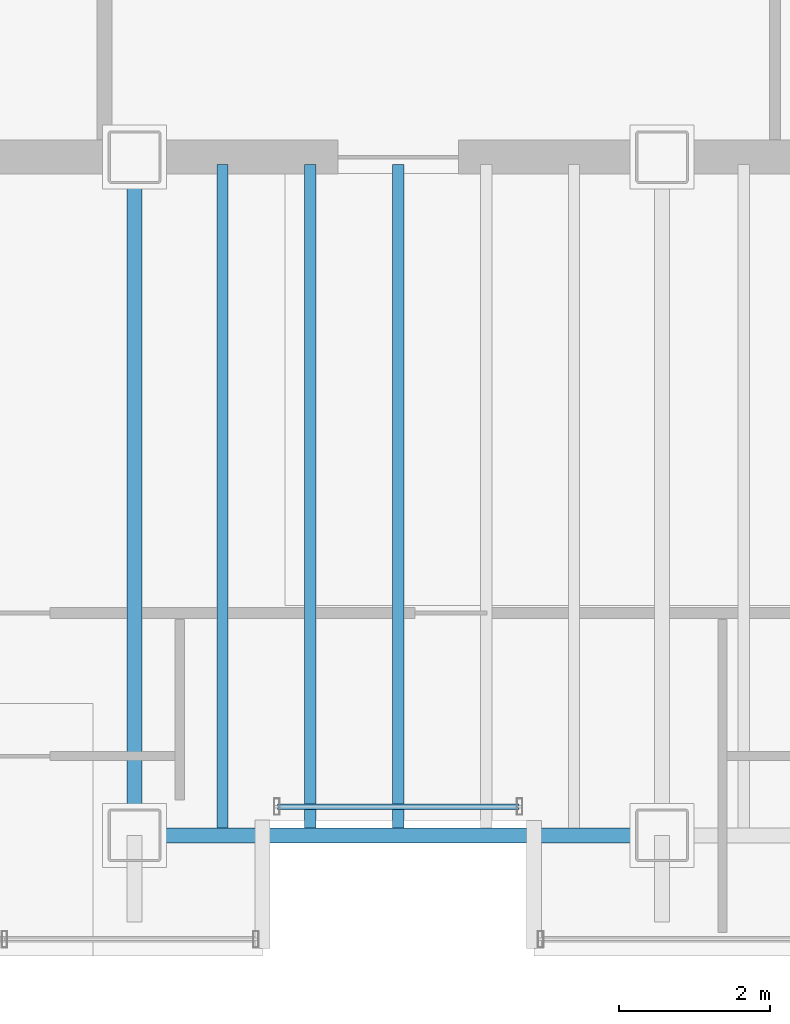
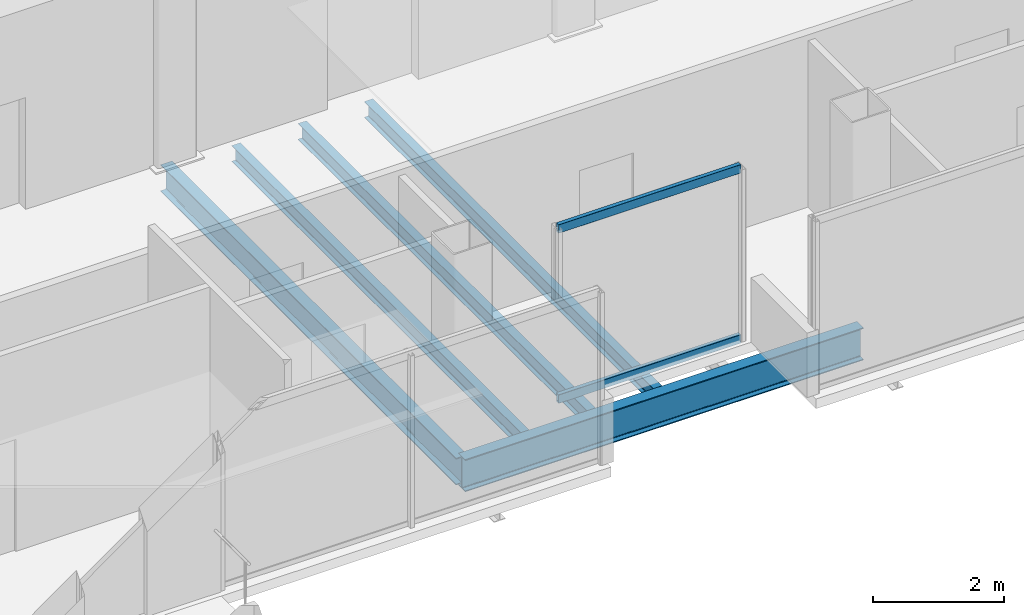
# One storey, part 3 of 17: 5 beams, 2 members, 1 element without a shape of its own.
"""IFC4 building model written with IfcOpenShell, lengths in metres."""

from ifc_helpers import new_model, si_unit, direction, frame, origin, origin_2d, place, context, subcontext, project, spatial, hollow_rectangle, i_section, extrude, material, material_profile, profile_set, type_object, element, aggregate, save


model = new_model("IFC4")

# Units and contexts
model_context = context("Model", 3, precision=1e-05, world=origin(), true_north=direction((0.0, 1.0)))
body_context = subcontext(model_context, "Body", "Model", "MODEL_VIEW")
ifc_project = project(units=[si_unit("LENGTHUNIT", "METRE"), si_unit("AREAUNIT", "SQUARE_METRE"), si_unit("VOLUMEUNIT", "CUBIC_METRE"), si_unit("PLANEANGLEUNIT", "RADIAN"), si_unit("MASSUNIT", "GRAM", prefix="KILO")], contexts=[model_context])

# Site, building, storey
site_placement = place(None, origin())
site = spatial("IfcSite", under=ifc_project, at=site_placement, CompositionType="ELEMENT")
building_placement = place(site_placement, origin())
building = spatial("IfcBuilding", under=site, at=building_placement, Name="Noeulbin Bourse Tower", CompositionType="ELEMENT")
storey_placement = place(building_placement, frame((0.0, 0.0, 296.89990234375)))
storey = spatial("IfcBuildingStorey", under=building, at=storey_placement, Name="L74", CompositionType="ELEMENT", Elevation=296.89990234375)

# Beams
ifc_material_1 = material(Name="Steel S355", Category="steel")
ifc_material_profile_1 = material_profile(ifc_material_1, i_section(OverallWidth=0.199951171875, OverallDepth=0.5, WebThickness=0.010009765625, FlangeThickness=0.01611328125, FilletRadius=0.02001953125, at=origin_2d()), Name="H-500x200x10x16", Category="LoadBearing")
ifc_profile_set_1 = profile_set([ifc_material_profile_1], Name="Steel S355")
beam_type_1 = type_object("IfcBeamType", Name="BM-GRD-500", PredefinedType="USERDEFINED", material=ifc_profile_set_1)
beam_1_placement = place(storey_placement, frame((24.0, 20.0, -0.429931640625), z_axis=(0.0, 1.0, 0.0), x_axis=(-1.0, 0.0, 0.0)))
element("IfcBeam", 1, at=beam_1_placement, inside=storey, type_object=beam_type_1, Name="Tower Primary Girder NS L74-2.2", ObjectType="GIRDER", PredefinedType="USERDEFINED", context=body_context, shape_type="SweptSolid", body=[
    extrude(i_section(OverallWidth=0.199951171875, OverallDepth=0.5, WebThickness=0.010009765625, FlangeThickness=0.01611328125, FilletRadius=0.02001953125, at=origin_2d()), origin(), (0.0, 0.0, 1.0), 9.0),
])
ifc_material_profile_2 = material_profile(ifc_material_1, i_section(OverallWidth=0.199951171875, OverallDepth=0.60009765625, WebThickness=0.010986328125, FlangeThickness=0.01708984375, FilletRadius=0.02197265625, at=origin_2d()), Name="H-600x200x11x17", Category="LoadBearing")
ifc_profile_set_2 = profile_set([ifc_material_profile_2], Name="Steel S355")
beam_type_2 = type_object("IfcBeamType", Name="BM-GRD-600", PredefinedType="USERDEFINED", material=ifc_profile_set_2)
beam_2_placement = place(storey_placement, frame((24.0, 20.0, -0.47998046875), z_axis=(1.0, 0.0, 0.0), x_axis=(0.0, 1.0, 0.0)))
element("IfcBeam", 2, at=beam_2_placement, inside=storey, type_object=beam_type_2, Name="Tower Primary Girder EW L74-1.1", ObjectType="GIRDER", PredefinedType="USERDEFINED", context=body_context, shape_type="SweptSolid", body=[
    extrude(i_section(OverallWidth=0.199951171875, OverallDepth=0.60009765625, WebThickness=0.010986328125, FlangeThickness=0.01708984375, FilletRadius=0.02197265625, at=origin_2d()), origin(), (0.0, 0.0, 1.0), 7.0),
])
ifc_material_profile_3 = material_profile(ifc_material_1, i_section(OverallWidth=0.14990234375, OverallDepth=0.300048828125, WebThickness=0.006591796875, FlangeThickness=0.009033203125, FilletRadius=0.012939453125, at=origin_2d()), Name="H-300x150x6.5x9", Category="LoadBearing")
ifc_profile_set_3 = profile_set([ifc_material_profile_3], Name="Steel S355")
beam_type_3 = type_object("IfcBeamType", Name="BM-JST-300", PredefinedType="JOIST", material=ifc_profile_set_3)
for number, where, z_axis, x_axis, name in (
    (3, (25.166748046875, 20.10009765625, -0.329833984375), (0.0, 1.0, 0.0), (-1.0, 0.0, 0.0), "Tower Composite Joist L74-01"),
    (4, (26.333251953125, 20.10009765625, -0.329833984375), (0.0, 1.0, 0.0), (-1.0, 0.0, 0.0), "Tower Composite Joist L74-03"),
    (5, (27.5, 20.10009765625, -0.329833984375), (0.0, 1.0, 0.0), (-1.0, 0.0, 0.0), "Tower Composite Joist L74-05"),
):
    element("IfcBeam", number, at=place(storey_placement, frame(where, z_axis=z_axis, x_axis=x_axis)), inside=storey, type_object=beam_type_3, Name=name, PredefinedType="JOIST", context=body_context, shape_type="SweptSolid", body=[
        extrude(i_section(OverallWidth=0.14990234375, OverallDepth=0.300048828125, WebThickness=0.006591796875, FlangeThickness=0.009033203125, FilletRadius=0.012939453125, at=origin_2d()), origin(), (0.0, 0.0, 1.0), 8.7998046875),
    ])

# Curtain wall, members
ifc_material_2 = material(Name="High-Selectivity Low-Iron Glazing", Category="glass")
curtain_wall_type = type_object("IfcCurtainWallType", Name="CW-SYS-4", PredefinedType="NOTDEFINED", material=ifc_material_2)
curtain_wall_placement = place(storey_placement, origin())
curtain_wall = element("IfcCurtainWall", 6, at=curtain_wall_placement, inside=storey, type_object=curtain_wall_type, Name="Unitised Curtain Wall CW-L74-SREC", PredefinedType="NOTDEFINED")
ifc_material_3 = material(Name="Anodised Aluminium 6063-T6", Category="aluminium")
ifc_material_profile_4 = material_profile(ifc_material_3, hollow_rectangle(XDim=0.074951171875, YDim=0.159912109375, WallThickness=0.0048828125, InnerFilletRadius=0.00244140625, OuterFilletRadius=0.0048828125, at=origin_2d()), Name="ALU-TRAN-75x160x5", Category="LoadBearing")
ifc_profile_set_4 = profile_set([ifc_material_profile_4], Name="Anodised Aluminium 6063-T6")
member_type = type_object("IfcMemberType", Name="CW-SYS-4-TRN", PredefinedType="USERDEFINED", material=ifc_profile_set_4)
member_1_placement = place(storey_placement, frame((25.89990234375, 20.3798828125, 0.010009765625), z_axis=(1.0, 0.0, 0.0), x_axis=(0.0, 1.0, 0.0)))
member_1 = element("IfcMember", 7, at=member_1_placement, type_object=member_type, Name="Curtain Wall Transom CW-L74-SREC-T00", ObjectType="TRANSOM", PredefinedType="USERDEFINED", context=body_context, shape_type="SweptSolid", body=[
    extrude(hollow_rectangle(XDim=0.074951171875, YDim=0.159912109375, WallThickness=0.0048828125, InnerFilletRadius=0.00244140625, OuterFilletRadius=0.0048828125, at=origin_2d()), origin(), (0.0, 0.0, 1.0), 3.2001953125),
])
member_2_placement = place(storey_placement, frame((25.89990234375, 20.3798828125, 3.170166015625), z_axis=(1.0, 0.0, 0.0), x_axis=(0.0, 1.0, 0.0)))
member_2 = element("IfcMember", 8, at=member_2_placement, type_object=member_type, Name="Curtain Wall Transom CW-L74-SREC-T01", ObjectType="TRANSOM", PredefinedType="USERDEFINED", context=body_context, shape_type="SweptSolid", body=[
    extrude(hollow_rectangle(XDim=0.074951171875, YDim=0.159912109375, WallThickness=0.0048828125, InnerFilletRadius=0.00244140625, OuterFilletRadius=0.0048828125, at=origin_2d()), origin(), (0.0, 0.0, 1.0), 3.2001953125),
])
aggregate(curtain_wall, [member_1, member_2])

save(model, "model.ifc")
